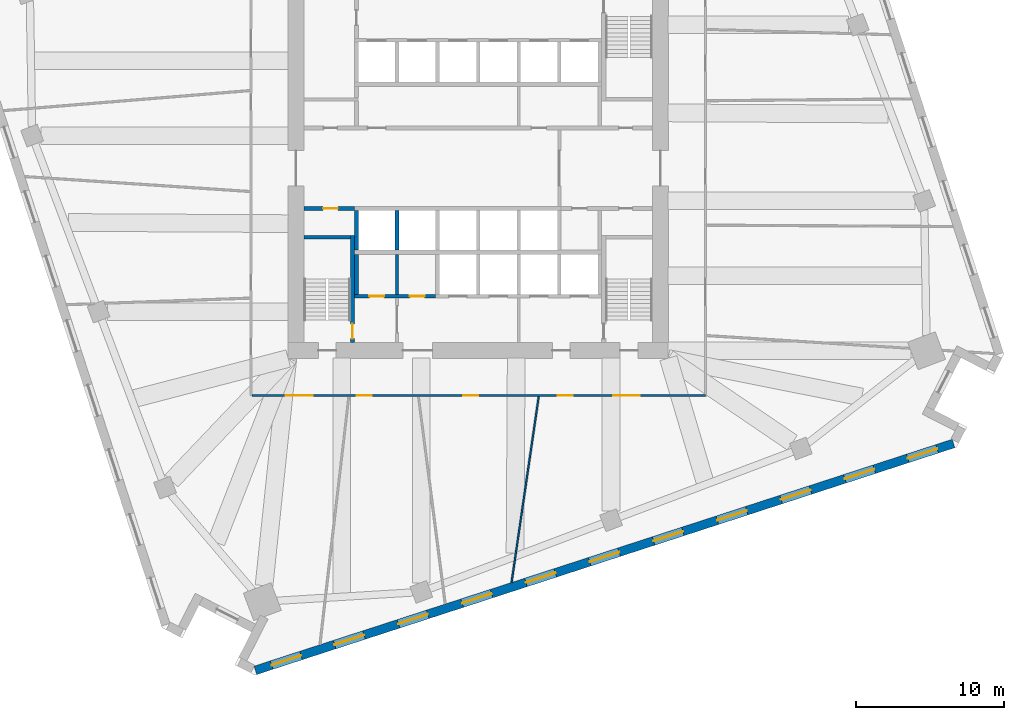
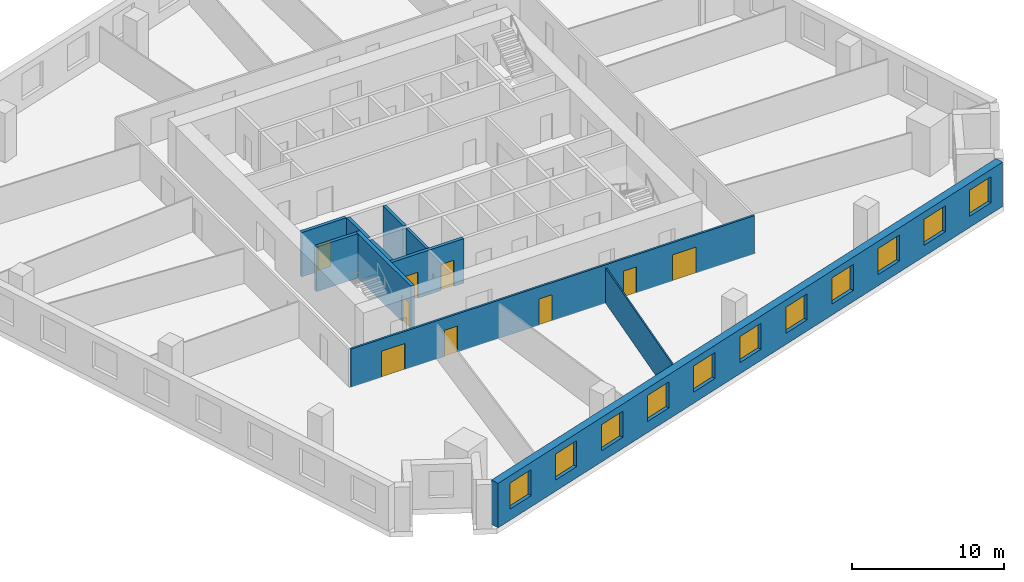
# One storey, part 6 of 12: 11 walls, 11 windows, 9 doors, 20 openings.
"""IFC4 building model written with IfcOpenShell, lengths in metres."""

from ifc_helpers import new_model, si_unit, direction, frame, frame_2d, origin, place, context, subcontext, project, spatial, rectangle, extrude, material, layer, layer_set, type_object, element, fill, save


model = new_model("IFC4")

# Units and contexts
model_context = context("Model", 3, precision=1e-05, world=origin(), true_north=direction((0.0, 1.0)))
body_context = subcontext(model_context, "Body", "Model", "MODEL_VIEW")
ifc_project = project(units=[si_unit("LENGTHUNIT", "METRE"), si_unit("AREAUNIT", "SQUARE_METRE"), si_unit("VOLUMEUNIT", "CUBIC_METRE"), si_unit("PLANEANGLEUNIT", "RADIAN"), si_unit("MASSUNIT", "GRAM", prefix="KILO")], contexts=[model_context])

# Site, building, storey
site_placement = place(None, origin())
site = spatial("IfcSite", under=ifc_project, at=site_placement, CompositionType="ELEMENT")
building_placement = place(site_placement, origin())
building = spatial("IfcBuilding", under=site, at=building_placement, Name="Dilmun Exchange Tower", CompositionType="ELEMENT")
storey_placement = place(building_placement, frame((0.0, 0.0, 90.10009765625)))
storey = spatial("IfcBuildingStorey", under=building, at=storey_placement, Name="L20", CompositionType="ELEMENT", Elevation=90.10009765625)

# Wall
ifc_material_1 = material(Name="Concrete C40/50", Category="concrete")
ifc_layer_1 = layer(ifc_material_1, 0.199951171875)
ifc_layer_set_1 = layer_set([ifc_layer_1], Name="Concrete C40/50")
wall_type_1 = type_object("IfcWallType", Name="Core partition wall 200", PredefinedType="PARTITIONING", material=ifc_layer_set_1)
wall_1_placement = place(storey_placement, frame((-5.5, -8.544921875, 0.0), z_axis=(0.0, 0.0, 1.0), x_axis=(0.0, 1.0, 0.0)))
element("IfcWall", 1, at=wall_1_placement, inside=storey, type_object=wall_type_1, Name="L20 core partition wall 05", PredefinedType="PARTITIONING", context=body_context, shape_type="SweptSolid", body=[
    extrude(rectangle(XDim=2.68994140625, YDim=0.199951171875, at=frame_2d((1.344970703125, 0.0))), origin(), (0.0, 0.0, 1.0), 3.579833984375),
])

# Wall, openings, doors
ifc_layer_2 = layer(ifc_material_1, 0.25)
ifc_layer_set_2 = layer_set([ifc_layer_2], Name="Concrete C40/50")
wall_type_2 = type_object("IfcWallType", Name="Core partition wall 250", PredefinedType="PARTITIONING", material=ifc_layer_set_2)
wall_2_placement = place(storey_placement, frame((-8.3701171875, -8.675048828125, 0.0), z_axis=(0.0, 0.0, 1.0), x_axis=(1.0, 0.0, 0.0)))
wall_2 = element("IfcWall", 2, at=wall_2_placement, inside=storey, type_object=wall_type_2, Name="L20 core partition wall 03", PredefinedType="PARTITIONING", context=body_context, shape_type="SweptSolid", body=[
    extrude(rectangle(XDim=5.490234375, YDim=0.25, at=frame_2d((2.7451171875, 0.0))), origin(), (0.0, 0.0, 1.0), 3.579833984375),
])
opening_1_placement = place(wall_2_placement, frame((0.9951171875, 0.0, 0.0)))
opening_1 = element("IfcOpeningElement", 3, at=opening_1_placement, cuts=wall_2, Name="Opening CD4", PredefinedType="OPENING", context=body_context, shape_type="SweptSolid", body=[
    extrude(rectangle(XDim=1.0, YDim=2.10009765625, at=frame_2d((0.5, 1.050048828125))), frame((0.0, 0.135009765625, 0.0), z_axis=(0.0, -1.0, 0.0), x_axis=(1.0, 0.0, 0.0)), (0.0, 0.0, 1.0), 0.27001953125),
])
opening_2_placement = place(wall_2_placement, frame((3.7451171875, 0.0, 0.0)))
opening_2 = element("IfcOpeningElement", 4, at=opening_2_placement, cuts=wall_2, Name="Opening CD4", PredefinedType="OPENING", context=body_context, shape_type="SweptSolid", body=[
    extrude(rectangle(XDim=1.0, YDim=2.10009765625, at=frame_2d((0.5, 1.050048828125))), frame((0.0, 0.135009765625, 0.0), z_axis=(0.0, -1.0, 0.0), x_axis=(1.0, 0.0, 0.0)), (0.0, 0.0, 1.0), 0.27001953125),
])
ifc_material_2 = material(Name="Fire-rated steel door set", Category="steel")
door_type_1 = type_object("IfcDoorType", Name="Core room door 1000x2100", OperationType="SINGLE_SWING_LEFT", PredefinedType="DOOR", material=ifc_material_2)
door_1_placement = place(opening_1_placement, origin())
door_1 = element("IfcDoor", 5, at=door_1_placement, inside=storey, type_object=door_type_1, Name="L20 door Male WC", OperationType="SINGLE_SWING_LEFT", OverallHeight=2.10009765625, OverallWidth=1.0, PredefinedType="DOOR", context=body_context, shape_type="SweptSolid", body=[
    extrude(rectangle(XDim=1.0, YDim=2.10009765625, at=frame_2d((0.5, 1.050048828125))), frame((0.0, 0.02490234375, 0.0), z_axis=(0.0, -1.0, 0.0), x_axis=(1.0, 0.0, 0.0)), (0.0, 0.0, 1.0), 0.050048828125),
])
fill(opening_1, door_1)
door_2_placement = place(opening_2_placement, origin())
door_2 = element("IfcDoor", 6, at=door_2_placement, inside=storey, type_object=door_type_1, Name="L20 door Female WC", OperationType="SINGLE_SWING_LEFT", OverallHeight=2.10009765625, OverallWidth=1.0, PredefinedType="DOOR", context=body_context, shape_type="SweptSolid", body=[
    extrude(rectangle(XDim=1.0, YDim=2.10009765625, at=frame_2d((0.5, 1.050048828125))), frame((0.0, 0.02490234375, 0.0), z_axis=(0.0, -1.0, 0.0), x_axis=(1.0, 0.0, 0.0)), (0.0, 0.0, 1.0), 0.050048828125),
])
fill(opening_2, door_2)

# Wall
wall_3_placement = place(storey_placement, frame((-8.25, -8.544921875, 0.0), z_axis=(0.0, 0.0, 1.0), x_axis=(0.0, 1.0, 0.0)))
element("IfcWall", 7, at=wall_3_placement, inside=storey, type_object=wall_type_2, Name="L20 core partition wall 04", PredefinedType="PARTITIONING", context=body_context, shape_type="SweptSolid", body=[
    extrude(rectangle(XDim=2.68994140625, YDim=0.25, at=frame_2d((1.344970703125, 0.0))), origin(), (0.0, 0.0, 1.0), 3.579833984375),
])

# Wall, opening, door
wall_4_placement = place(storey_placement, frame((-11.794921875, -2.72509765625, 0.0), z_axis=(0.0, 0.0, 1.0), x_axis=(1.0, 0.0, 0.0)))
wall_4 = element("IfcWall", 8, at=wall_4_placement, inside=storey, type_object=wall_type_2, Name="L20 core partition wall 07", PredefinedType="PARTITIONING", context=body_context, shape_type="SweptSolid", body=[
    extrude(rectangle(XDim=3.4150390625, YDim=0.25, at=frame_2d((1.70751953125, 0.0))), origin(), (0.0, 0.0, 1.0), 3.579833984375),
])
opening_3_placement = place(wall_4_placement, frame((1.294921875, 0.0, 0.0)))
opening_3 = element("IfcOpeningElement", 9, at=opening_3_placement, cuts=wall_4, Name="Opening CD4", PredefinedType="OPENING", context=body_context, shape_type="SweptSolid", body=[
    extrude(rectangle(XDim=1.0, YDim=2.10009765625, at=frame_2d((0.5, 1.050048828125))), frame((0.0, 0.135009765625, 0.0), z_axis=(0.0, -1.0, 0.0), x_axis=(1.0, 0.0, 0.0)), (0.0, 0.0, 1.0), 0.27001953125),
])
door_3_placement = place(opening_3_placement, origin())
door_3 = element("IfcDoor", 10, at=door_3_placement, inside=storey, type_object=door_type_1, Name="L20 door Accessible WC", OperationType="SINGLE_SWING_LEFT", OverallHeight=2.10009765625, OverallWidth=1.0, PredefinedType="DOOR", context=body_context, shape_type="SweptSolid", body=[
    extrude(rectangle(XDim=1.0, YDim=2.10009765625, at=frame_2d((0.5, 1.050048828125))), frame((0.0, 0.02490234375, 0.0), z_axis=(0.0, -1.0, 0.0), x_axis=(1.0, 0.0, 0.0)), (0.0, 0.0, 1.0), 0.050048828125),
])
fill(opening_3, door_3)

# Wall, openings, doors
ifc_material_3 = material(Name="Corridor wall 150")
ifc_layer_3 = layer(ifc_material_3, 0.14990234375)
ifc_layer_set_3 = layer_set([ifc_layer_3], Name="Corridor wall 150")
wall_type_3 = type_object("IfcWallType", Name="Corridor wall 150", PredefinedType="PARTITIONING", material=ifc_layer_set_3)
wall_5_placement = place(storey_placement, frame((-15.324951171875, -15.39990234375, 0.0), z_axis=(0.0, 0.0, 1.0), x_axis=(1.0, 0.0, 0.0)))
wall_5 = element("IfcWall", 11, at=wall_5_placement, inside=storey, type_object=wall_type_3, Name="Corridor wall", PredefinedType="PARTITIONING", context=body_context, shape_type="SweptSolid", body=[
    extrude(rectangle(XDim=30.724853515625, YDim=0.14990234375, at=frame_2d((15.3623046875, 0.0))), origin(), (0.0, 0.0, 1.0), 3.079833984375),
])
opening_4_placement = place(wall_5_placement, frame((2.300048828125, 0.0, 0.0)))
opening_4 = element("IfcOpeningElement", 12, at=opening_4_placement, cuts=wall_5, Name="Opening TF20-D06", PredefinedType="OPENING", context=body_context, shape_type="SweptSolid", body=[
    extrude(rectangle(XDim=1.800048828125, YDim=2.10009765625, at=frame_2d((0.89990234375, 1.050048828125))), frame((0.0, 0.0849609375, 0.0), z_axis=(0.0, -1.0, 0.0), x_axis=(1.0, 0.0, 0.0)), (0.0, 0.0, 1.0), 0.169921875),
])
opening_5_placement = place(wall_5_placement, frame((7.10888671875, 0.0, 0.0)))
opening_5 = element("IfcOpeningElement", 13, at=opening_5_placement, cuts=wall_5, Name="Opening TF20-D08", PredefinedType="OPENING", context=body_context, shape_type="SweptSolid", body=[
    extrude(rectangle(XDim=1.0, YDim=2.10009765625, at=frame_2d((0.5, 1.050048828125))), frame((0.0, 0.0849609375, 0.0), z_axis=(0.0, -1.0, 0.0), x_axis=(1.0, 0.0, 0.0)), (0.0, 0.0, 1.0), 0.169921875),
])
opening_6_placement = place(wall_5_placement, frame((14.3203125, 0.0, 0.0)))
opening_6 = element("IfcOpeningElement", 14, at=opening_6_placement, cuts=wall_5, Name="Opening TF20-D11", PredefinedType="OPENING", context=body_context, shape_type="SweptSolid", body=[
    extrude(rectangle(XDim=1.0, YDim=2.10009765625, at=frame_2d((0.5, 1.050048828125))), frame((0.0, 0.0849609375, 0.0), z_axis=(0.0, -1.0, 0.0), x_axis=(1.0, 0.0, 0.0)), (0.0, 0.0, 1.0), 0.169921875),
])
opening_7_placement = place(wall_5_placement, frame((24.48486328125, 0.0, 0.0)))
opening_7 = element("IfcOpeningElement", 15, at=opening_7_placement, cuts=wall_5, Name="Opening TF20-D13", PredefinedType="OPENING", context=body_context, shape_type="SweptSolid", body=[
    extrude(rectangle(XDim=1.800048828125, YDim=2.10009765625, at=frame_2d((0.89990234375, 1.050048828125))), frame((0.0, 0.0849609375, 0.0), z_axis=(0.0, -1.0, 0.0), x_axis=(1.0, 0.0, 0.0)), (0.0, 0.0, 1.0), 0.169921875),
])
opening_8_placement = place(wall_5_placement, frame((20.73486328125, 0.0, 0.0)))
opening_8 = element("IfcOpeningElement", 16, at=opening_8_placement, cuts=wall_5, Name="Opening TF20-D14", PredefinedType="OPENING", context=body_context, shape_type="SweptSolid", body=[
    extrude(rectangle(XDim=1.0, YDim=2.10009765625, at=frame_2d((0.5, 1.050048828125))), frame((0.0, 0.0849609375, 0.0), z_axis=(0.0, -1.0, 0.0), x_axis=(1.0, 0.0, 0.0)), (0.0, 0.0, 1.0), 0.169921875),
])
ifc_material_4 = material(Name="Fire door 1000 x 2100")
door_type_2 = type_object("IfcDoorType", Name="Fire door 1000 x 2100", OperationType="NOTDEFINED", PredefinedType="DOOR", material=ifc_material_4)
door_4_placement = place(opening_5_placement, frame((1.0, 0.0, 0.0), z_axis=(0.0, 0.0, 1.0), x_axis=(-1.0, 0.0, 0.0)))
door_4 = element("IfcDoor", 17, at=door_4_placement, inside=storey, type_object=door_type_2, Name="Door TF20-D08", OperationType="SINGLE_SWING_LEFT", OverallHeight=2.10009765625, OverallWidth=1.0, PredefinedType="DOOR", context=body_context, shape_type="SweptSolid", body=[
    extrude(rectangle(XDim=1.0, YDim=2.10009765625, at=frame_2d((0.5, 1.050048828125))), frame((0.0, 0.02490234375, 0.0), z_axis=(0.0, -1.0, 0.0), x_axis=(1.0, 0.0, 0.0)), (0.0, 0.0, 1.0), 0.050048828125),
])
fill(opening_5, door_4)
door_5_placement = place(opening_6_placement, frame((1.0, 0.0, 0.0), z_axis=(0.0, 0.0, 1.0), x_axis=(-1.0, 0.0, 0.0)))
door_5 = element("IfcDoor", 18, at=door_5_placement, inside=storey, type_object=door_type_2, Name="Door TF20-D11", OperationType="SINGLE_SWING_LEFT", OverallHeight=2.10009765625, OverallWidth=1.0, PredefinedType="DOOR", context=body_context, shape_type="SweptSolid", body=[
    extrude(rectangle(XDim=1.0, YDim=2.10009765625, at=frame_2d((0.5, 1.050048828125))), frame((0.0, 0.02490234375, 0.0), z_axis=(0.0, -1.0, 0.0), x_axis=(1.0, 0.0, 0.0)), (0.0, 0.0, 1.0), 0.050048828125),
])
fill(opening_6, door_5)
door_6_placement = place(opening_8_placement, frame((1.0, 0.0, 0.0), z_axis=(0.0, 0.0, 1.0), x_axis=(-1.0, 0.0, 0.0)))
door_6 = element("IfcDoor", 19, at=door_6_placement, inside=storey, type_object=door_type_2, Name="Door TF20-D14", OperationType="SINGLE_SWING_LEFT", OverallHeight=2.10009765625, OverallWidth=1.0, PredefinedType="DOOR", context=body_context, shape_type="SweptSolid", body=[
    extrude(rectangle(XDim=1.0, YDim=2.10009765625, at=frame_2d((0.5, 1.050048828125))), frame((0.0, 0.02490234375, 0.0), z_axis=(0.0, -1.0, 0.0), x_axis=(1.0, 0.0, 0.0)), (0.0, 0.0, 1.0), 0.050048828125),
])
fill(opening_8, door_6)
ifc_material_5 = material(Name="Fire door pair 1800 x 2100")
door_type_3 = type_object("IfcDoorType", Name="Fire door pair 1800 x 2100", OperationType="NOTDEFINED", PredefinedType="DOOR", material=ifc_material_5)
door_7_placement = place(opening_4_placement, frame((1.800048828125, 0.0, 0.0), z_axis=(0.0, 0.0, 1.0), x_axis=(-1.0, 0.0, 0.0)))
door_7 = element("IfcDoor", 20, at=door_7_placement, inside=storey, type_object=door_type_3, Name="Door TF20-D06", OperationType="DOUBLE_DOOR_SINGLE_SWING", OverallHeight=2.10009765625, OverallWidth=1.800048828125, PredefinedType="DOOR", context=body_context, shape_type="SweptSolid", body=[
    extrude(rectangle(XDim=1.800048828125, YDim=2.10009765625, at=frame_2d((0.89990234375, 1.050048828125))), frame((0.0, 0.02490234375, 0.0), z_axis=(0.0, -1.0, 0.0), x_axis=(1.0, 0.0, 0.0)), (0.0, 0.0, 1.0), 0.050048828125),
])
fill(opening_4, door_7)
door_8_placement = place(opening_7_placement, frame((1.800048828125, 0.0, 0.0), z_axis=(0.0, 0.0, 1.0), x_axis=(-1.0, 0.0, 0.0)))
door_8 = element("IfcDoor", 21, at=door_8_placement, inside=storey, type_object=door_type_3, Name="Door TF20-D13", OperationType="DOUBLE_DOOR_SINGLE_SWING", OverallHeight=2.10009765625, OverallWidth=1.800048828125, PredefinedType="DOOR", context=body_context, shape_type="SweptSolid", body=[
    extrude(rectangle(XDim=1.800048828125, YDim=2.10009765625, at=frame_2d((0.89990234375, 1.050048828125))), frame((0.0, 0.02490234375, 0.0), z_axis=(0.0, -1.0, 0.0), x_axis=(1.0, 0.0, 0.0)), (0.0, 0.0, 1.0), 0.050048828125),
])
fill(opening_7, door_8)

# Walls
ifc_layer_4 = layer(ifc_material_1, 0.25)
ifc_layer_set_4 = layer_set([ifc_layer_4], Name="Concrete C40/50")
wall_type_4 = type_object("IfcWallType", Name="Lift shaft wall 250", PredefinedType="SOLIDWALL", material=ifc_layer_set_4)
for number, where, z_axis, x_axis, name in (
    (22, (-8.25, -5.550048828125, 0.0), (0.0, 0.0, 1.0), (0.0, 1.0, 0.0), "L20 lift shaft divider S10"),
    (23, (-5.5, -5.550048828125, 0.0), (0.0, 0.0, 1.0), (0.0, 1.0, 0.0), "L20 lift shaft divider S11"),
):
    element("IfcWall", number, at=place(storey_placement, frame(where, z_axis=z_axis, x_axis=x_axis)), inside=storey, type_object=wall_type_4, Name=name, PredefinedType="SOLIDWALL", context=body_context, shape_type="SweptSolid", body=[
        extrude(rectangle(XDim=2.699951171875, YDim=0.25, at=frame_2d((1.35009765625, 0.0))), origin(), (0.0, 0.0, 1.0), 3.579833984375),
    ])
ifc_material_6 = material(Name="Partition 100")
ifc_layer_5 = layer(ifc_material_6, 0.10009765625)
ifc_layer_set_5 = layer_set([ifc_layer_5], Name="Partition 100")
wall_type_5 = type_object("IfcWallType", Name="Partition 100", PredefinedType="PARTITIONING", material=ifc_layer_set_5)
wall_6_placement = place(storey_placement, frame((2.26416015625, -28.072265625, 0.0), z_axis=(0.0, 0.0, 1.0), x_axis=(0.144598494154, 0.989490412025, 0.0)))
element("IfcWall", 24, at=wall_6_placement, inside=storey, type_object=wall_type_5, Name="Partition", PredefinedType="PARTITIONING", context=body_context, shape_type="SweptSolid", body=[
    extrude(rectangle(XDim=12.723876953125, YDim=0.10009765625, at=frame_2d((6.36181640625, 0.0))), origin(), (0.0, 0.0, 1.0), 2.829833984375),
])

# Wall, openings, windows
ifc_material_7 = material(Name="Precast concrete C50/60", Category="concrete")
ifc_layer_6 = layer(ifc_material_7, 0.60009765625)
ifc_layer_set_6 = layer_set([ifc_layer_6], Name="Precast concrete C50/60")
wall_type_6 = type_object("IfcWallType", Name="Precast stone-clad wall 600", PredefinedType="STANDARD", material=ifc_layer_set_6)
wall_7_placement = place(storey_placement, frame((-15.098388671875, -34.03125, 0.0), z_axis=(0.0, 0.0, 1.0), x_axis=(0.951056568917, 0.309016832421, 0.0)))
wall_7 = element("IfcWall", 25, at=wall_7_placement, inside=storey, type_object=wall_type_6, Name="Facade wall L20-15", PredefinedType="STANDARD", context=body_context, shape_type="SweptSolid", body=[
    extrude(rectangle(XDim=49.75146484375, YDim=0.60009765625, at=frame_2d((24.875732421875, 0.0))), origin(), (0.0, 0.0, 1.0), 3.579833984375),
])
opening_9_placement = place(wall_7_placement, frame((1.16064453125, 0.0, 0.89990234375)))
opening_9 = element("IfcOpeningElement", 26, at=opening_9_placement, cuts=wall_7, Name="Opening W210-210", PredefinedType="OPENING", context=body_context, shape_type="SweptSolid", body=[
    extrude(rectangle(XDim=2.10009765625, YDim=2.10009765625, at=frame_2d((1.050048828125, 1.050048828125))), frame((0.0, 0.31005859375, 0.0), z_axis=(0.0, -1.0, 0.0), x_axis=(1.0, 0.0, 0.0)), (0.0, 0.0, 1.0), 0.6201171875),
])
opening_10_placement = place(wall_7_placement, frame((5.643798828125, 0.0, 0.89990234375)))
opening_10 = element("IfcOpeningElement", 27, at=opening_10_placement, cuts=wall_7, Name="Opening W210-210", PredefinedType="OPENING", context=body_context, shape_type="SweptSolid", body=[
    extrude(rectangle(XDim=2.10009765625, YDim=2.10009765625, at=frame_2d((1.050048828125, 1.050048828125))), frame((0.0, 0.31005859375, 0.0), z_axis=(0.0, -1.0, 0.0), x_axis=(1.0, 0.0, 0.0)), (0.0, 0.0, 1.0), 0.6201171875),
])
opening_11_placement = place(wall_7_placement, frame((10.189453125, 0.0, 0.89990234375)))
opening_11 = element("IfcOpeningElement", 28, at=opening_11_placement, cuts=wall_7, Name="Opening W210-210", PredefinedType="OPENING", context=body_context, shape_type="SweptSolid", body=[
    extrude(rectangle(XDim=2.10009765625, YDim=2.10009765625, at=frame_2d((1.050048828125, 1.050048828125))), frame((0.0, 0.31005859375, 0.0), z_axis=(0.0, -1.0, 0.0), x_axis=(1.0, 0.0, 0.0)), (0.0, 0.0, 1.0), 0.6201171875),
])
opening_12_placement = place(wall_7_placement, frame((14.73486328125, 0.0, 0.89990234375)))
opening_12 = element("IfcOpeningElement", 29, at=opening_12_placement, cuts=wall_7, Name="Opening W210-210", PredefinedType="OPENING", context=body_context, shape_type="SweptSolid", body=[
    extrude(rectangle(XDim=2.10009765625, YDim=2.10009765625, at=frame_2d((1.050048828125, 1.050048828125))), frame((0.0, 0.31005859375, 0.0), z_axis=(0.0, -1.0, 0.0), x_axis=(1.0, 0.0, 0.0)), (0.0, 0.0, 1.0), 0.6201171875),
])
opening_13_placement = place(wall_7_placement, frame((19.2802734375, 0.0, 0.89990234375)))
opening_13 = element("IfcOpeningElement", 30, at=opening_13_placement, cuts=wall_7, Name="Opening W210-210", PredefinedType="OPENING", context=body_context, shape_type="SweptSolid", body=[
    extrude(rectangle(XDim=2.10009765625, YDim=2.10009765625, at=frame_2d((1.050048828125, 1.050048828125))), frame((0.0, 0.31005859375, 0.0), z_axis=(0.0, -1.0, 0.0), x_axis=(1.0, 0.0, 0.0)), (0.0, 0.0, 1.0), 0.6201171875),
])
opening_14_placement = place(wall_7_placement, frame((23.82568359375, 0.0, 0.89990234375)))
opening_14 = element("IfcOpeningElement", 31, at=opening_14_placement, cuts=wall_7, Name="Opening W210-210", PredefinedType="OPENING", context=body_context, shape_type="SweptSolid", body=[
    extrude(rectangle(XDim=2.10009765625, YDim=2.10009765625, at=frame_2d((1.050048828125, 1.050048828125))), frame((0.0, 0.31005859375, 0.0), z_axis=(0.0, -1.0, 0.0), x_axis=(1.0, 0.0, 0.0)), (0.0, 0.0, 1.0), 0.6201171875),
])
opening_15_placement = place(wall_7_placement, frame((28.37109375, 0.0, 0.89990234375)))
opening_15 = element("IfcOpeningElement", 32, at=opening_15_placement, cuts=wall_7, Name="Opening W210-210", PredefinedType="OPENING", context=body_context, shape_type="SweptSolid", body=[
    extrude(rectangle(XDim=2.10009765625, YDim=2.10009765625, at=frame_2d((1.050048828125, 1.050048828125))), frame((0.0, 0.31005859375, 0.0), z_axis=(0.0, -1.0, 0.0), x_axis=(1.0, 0.0, 0.0)), (0.0, 0.0, 1.0), 0.6201171875),
])
opening_16_placement = place(wall_7_placement, frame((32.91650390625, 0.0, 0.89990234375)))
opening_16 = element("IfcOpeningElement", 33, at=opening_16_placement, cuts=wall_7, Name="Opening W210-210", PredefinedType="OPENING", context=body_context, shape_type="SweptSolid", body=[
    extrude(rectangle(XDim=2.10009765625, YDim=2.10009765625, at=frame_2d((1.050048828125, 1.050048828125))), frame((0.0, 0.31005859375, 0.0), z_axis=(0.0, -1.0, 0.0), x_axis=(1.0, 0.0, 0.0)), (0.0, 0.0, 1.0), 0.6201171875),
])
opening_17_placement = place(wall_7_placement, frame((37.462158203125, 0.0, 0.89990234375)))
opening_17 = element("IfcOpeningElement", 34, at=opening_17_placement, cuts=wall_7, Name="Opening W210-210", PredefinedType="OPENING", context=body_context, shape_type="SweptSolid", body=[
    extrude(rectangle(XDim=2.10009765625, YDim=2.10009765625, at=frame_2d((1.050048828125, 1.050048828125))), frame((0.0, 0.31005859375, 0.0), z_axis=(0.0, -1.0, 0.0), x_axis=(1.0, 0.0, 0.0)), (0.0, 0.0, 1.0), 0.6201171875),
])
opening_18_placement = place(wall_7_placement, frame((42.007568359375, 0.0, 0.89990234375)))
opening_18 = element("IfcOpeningElement", 35, at=opening_18_placement, cuts=wall_7, Name="Opening W210-210", PredefinedType="OPENING", context=body_context, shape_type="SweptSolid", body=[
    extrude(rectangle(XDim=2.10009765625, YDim=2.10009765625, at=frame_2d((1.050048828125, 1.050048828125))), frame((0.0, 0.31005859375, 0.0), z_axis=(0.0, -1.0, 0.0), x_axis=(1.0, 0.0, 0.0)), (0.0, 0.0, 1.0), 0.6201171875),
])
opening_19_placement = place(wall_7_placement, frame((46.490966796875, 0.0, 0.89990234375)))
opening_19 = element("IfcOpeningElement", 36, at=opening_19_placement, cuts=wall_7, Name="Opening W210-210", PredefinedType="OPENING", context=body_context, shape_type="SweptSolid", body=[
    extrude(rectangle(XDim=2.10009765625, YDim=2.10009765625, at=frame_2d((1.050048828125, 1.050048828125))), frame((0.0, 0.31005859375, 0.0), z_axis=(0.0, -1.0, 0.0), x_axis=(1.0, 0.0, 0.0)), (0.0, 0.0, 1.0), 0.6201171875),
])
ifc_material_8 = material(Name="Clear low-emissivity glass in aluminium frame", Category="aluminium")
window_type = type_object("IfcWindowType", Name="Punched window 2100 x 2100", PartitioningType="DOUBLE_PANEL_VERTICAL", PredefinedType="WINDOW", material=ifc_material_8)
window_1_placement = place(opening_9_placement, origin())
window_1 = element("IfcWindow", 37, at=window_1_placement, inside=storey, type_object=window_type, Name="Window 16.1", OverallHeight=2.10009765625, OverallWidth=2.10009765625, PartitioningType="SINGLE_PANEL", PredefinedType="WINDOW", context=body_context, shape_type="SweptSolid", body=[
    extrude(rectangle(XDim=2.10009765625, YDim=2.10009765625, at=frame_2d((1.050048828125, 1.050048828125))), frame((0.0, 0.030029296875, 0.0), z_axis=(0.0, -1.0, 0.0), x_axis=(1.0, 0.0, 0.0)), (0.0, 0.0, 1.0), 0.06005859375),
])
fill(opening_9, window_1)
window_2_placement = place(opening_10_placement, origin())
window_2 = element("IfcWindow", 38, at=window_2_placement, inside=storey, type_object=window_type, Name="Window 16.2", OverallHeight=2.10009765625, OverallWidth=2.10009765625, PartitioningType="SINGLE_PANEL", PredefinedType="WINDOW", context=body_context, shape_type="SweptSolid", body=[
    extrude(rectangle(XDim=2.10009765625, YDim=2.10009765625, at=frame_2d((1.050048828125, 1.050048828125))), frame((0.0, 0.030029296875, 0.0), z_axis=(0.0, -1.0, 0.0), x_axis=(1.0, 0.0, 0.0)), (0.0, 0.0, 1.0), 0.06005859375),
])
fill(opening_10, window_2)
window_3_placement = place(opening_11_placement, origin())
window_3 = element("IfcWindow", 39, at=window_3_placement, inside=storey, type_object=window_type, Name="Window 16.3", OverallHeight=2.10009765625, OverallWidth=2.10009765625, PartitioningType="SINGLE_PANEL", PredefinedType="WINDOW", context=body_context, shape_type="SweptSolid", body=[
    extrude(rectangle(XDim=2.10009765625, YDim=2.10009765625, at=frame_2d((1.050048828125, 1.050048828125))), frame((0.0, 0.030029296875, 0.0), z_axis=(0.0, -1.0, 0.0), x_axis=(1.0, 0.0, 0.0)), (0.0, 0.0, 1.0), 0.06005859375),
])
fill(opening_11, window_3)
window_4_placement = place(opening_12_placement, origin())
window_4 = element("IfcWindow", 40, at=window_4_placement, inside=storey, type_object=window_type, Name="Window 16.4", OverallHeight=2.10009765625, OverallWidth=2.10009765625, PartitioningType="SINGLE_PANEL", PredefinedType="WINDOW", context=body_context, shape_type="SweptSolid", body=[
    extrude(rectangle(XDim=2.10009765625, YDim=2.10009765625, at=frame_2d((1.050048828125, 1.050048828125))), frame((0.0, 0.030029296875, 0.0), z_axis=(0.0, -1.0, 0.0), x_axis=(1.0, 0.0, 0.0)), (0.0, 0.0, 1.0), 0.06005859375),
])
fill(opening_12, window_4)
window_5_placement = place(opening_13_placement, origin())
window_5 = element("IfcWindow", 41, at=window_5_placement, inside=storey, type_object=window_type, Name="Window 16.5", OverallHeight=2.10009765625, OverallWidth=2.10009765625, PartitioningType="SINGLE_PANEL", PredefinedType="WINDOW", context=body_context, shape_type="SweptSolid", body=[
    extrude(rectangle(XDim=2.10009765625, YDim=2.10009765625, at=frame_2d((1.050048828125, 1.050048828125))), frame((0.0, 0.030029296875, 0.0), z_axis=(0.0, -1.0, 0.0), x_axis=(1.0, 0.0, 0.0)), (0.0, 0.0, 1.0), 0.06005859375),
])
fill(opening_13, window_5)
window_6_placement = place(opening_14_placement, origin())
window_6 = element("IfcWindow", 42, at=window_6_placement, inside=storey, type_object=window_type, Name="Window 16.6", OverallHeight=2.10009765625, OverallWidth=2.10009765625, PartitioningType="SINGLE_PANEL", PredefinedType="WINDOW", context=body_context, shape_type="SweptSolid", body=[
    extrude(rectangle(XDim=2.10009765625, YDim=2.10009765625, at=frame_2d((1.050048828125, 1.050048828125))), frame((0.0, 0.030029296875, 0.0), z_axis=(0.0, -1.0, 0.0), x_axis=(1.0, 0.0, 0.0)), (0.0, 0.0, 1.0), 0.06005859375),
])
fill(opening_14, window_6)
window_7_placement = place(opening_15_placement, origin())
window_7 = element("IfcWindow", 43, at=window_7_placement, inside=storey, type_object=window_type, Name="Window 16.7", OverallHeight=2.10009765625, OverallWidth=2.10009765625, PartitioningType="SINGLE_PANEL", PredefinedType="WINDOW", context=body_context, shape_type="SweptSolid", body=[
    extrude(rectangle(XDim=2.10009765625, YDim=2.10009765625, at=frame_2d((1.050048828125, 1.050048828125))), frame((0.0, 0.030029296875, 0.0), z_axis=(0.0, -1.0, 0.0), x_axis=(1.0, 0.0, 0.0)), (0.0, 0.0, 1.0), 0.06005859375),
])
fill(opening_15, window_7)
window_8_placement = place(opening_16_placement, origin())
window_8 = element("IfcWindow", 44, at=window_8_placement, inside=storey, type_object=window_type, Name="Window 16.8", OverallHeight=2.10009765625, OverallWidth=2.10009765625, PartitioningType="SINGLE_PANEL", PredefinedType="WINDOW", context=body_context, shape_type="SweptSolid", body=[
    extrude(rectangle(XDim=2.10009765625, YDim=2.10009765625, at=frame_2d((1.050048828125, 1.050048828125))), frame((0.0, 0.030029296875, 0.0), z_axis=(0.0, -1.0, 0.0), x_axis=(1.0, 0.0, 0.0)), (0.0, 0.0, 1.0), 0.06005859375),
])
fill(opening_16, window_8)
window_9_placement = place(opening_17_placement, origin())
window_9 = element("IfcWindow", 45, at=window_9_placement, inside=storey, type_object=window_type, Name="Window 16.9", OverallHeight=2.10009765625, OverallWidth=2.10009765625, PartitioningType="SINGLE_PANEL", PredefinedType="WINDOW", context=body_context, shape_type="SweptSolid", body=[
    extrude(rectangle(XDim=2.10009765625, YDim=2.10009765625, at=frame_2d((1.050048828125, 1.050048828125))), frame((0.0, 0.030029296875, 0.0), z_axis=(0.0, -1.0, 0.0), x_axis=(1.0, 0.0, 0.0)), (0.0, 0.0, 1.0), 0.06005859375),
])
fill(opening_17, window_9)
window_10_placement = place(opening_18_placement, origin())
window_10 = element("IfcWindow", 46, at=window_10_placement, inside=storey, type_object=window_type, Name="Window 16.10", OverallHeight=2.10009765625, OverallWidth=2.10009765625, PartitioningType="SINGLE_PANEL", PredefinedType="WINDOW", context=body_context, shape_type="SweptSolid", body=[
    extrude(rectangle(XDim=2.10009765625, YDim=2.10009765625, at=frame_2d((1.050048828125, 1.050048828125))), frame((0.0, 0.030029296875, 0.0), z_axis=(0.0, -1.0, 0.0), x_axis=(1.0, 0.0, 0.0)), (0.0, 0.0, 1.0), 0.06005859375),
])
fill(opening_18, window_10)
window_11_placement = place(opening_19_placement, origin())
window_11 = element("IfcWindow", 47, at=window_11_placement, inside=storey, type_object=window_type, Name="Window 16.11", OverallHeight=2.10009765625, OverallWidth=2.10009765625, PartitioningType="SINGLE_PANEL", PredefinedType="WINDOW", context=body_context, shape_type="SweptSolid", body=[
    extrude(rectangle(XDim=2.10009765625, YDim=2.10009765625, at=frame_2d((1.050048828125, 1.050048828125))), frame((0.0, 0.030029296875, 0.0), z_axis=(0.0, -1.0, 0.0), x_axis=(1.0, 0.0, 0.0)), (0.0, 0.0, 1.0), 0.06005859375),
])
fill(opening_19, window_11)

# Wall
ifc_layer_7 = layer(ifc_material_1, 0.25)
ifc_layer_set_7 = layer_set([ifc_layer_7], Name="Concrete C40/50")
wall_type_7 = type_object("IfcWallType", Name="Stair end wall 250", PredefinedType="SOLIDWALL", material=ifc_layer_set_7)
wall_8_placement = place(storey_placement, frame((-8.64990234375, -4.675048828125, 0.0), z_axis=(0.0, 0.0, 1.0), x_axis=(-1.0, 0.0, 0.0)))
element("IfcWall", 48, at=wall_8_placement, inside=storey, type_object=wall_type_7, Name="L20 ST2 far wall", PredefinedType="SOLIDWALL", context=body_context, shape_type="SweptSolid", body=[
    extrude(rectangle(XDim=3.150146484375, YDim=0.25, at=frame_2d((1.5751953125, 0.0))), origin(), (0.0, 0.0, 1.0), 3.579833984375),
])

# Wall, opening, door
ifc_layer_8 = layer(ifc_material_1, 0.27490234375)
ifc_layer_set_8 = layer_set([ifc_layer_8], Name="Concrete C40/50")
wall_type_8 = type_object("IfcWallType", Name="Stair wall 275", PredefinedType="SOLIDWALL", material=ifc_layer_set_8)
wall_9_placement = place(storey_placement, frame((-8.512451171875, -4.550048828125, 0.0), z_axis=(0.0, 0.0, 1.0), x_axis=(0.0, -1.0, 0.0)))
wall_9 = element("IfcWall", 49, at=wall_9_placement, inside=storey, type_object=wall_type_8, Name="L20 ST2 wall to lift block", PredefinedType="SOLIDWALL", context=body_context, shape_type="SweptSolid", body=[
    extrude(rectangle(XDim=7.25, YDim=0.27490234375, at=frame_2d((3.625, 0.0))), origin(), (0.0, 0.0, 1.0), 3.579833984375),
])
opening_20_placement = place(wall_9_placement, frame((6.0, 0.0, 0.0)))
opening_20 = element("IfcOpeningElement", 50, at=opening_20_placement, cuts=wall_9, Name="Opening CD4", PredefinedType="OPENING", context=body_context, shape_type="SweptSolid", body=[
    extrude(rectangle(XDim=1.0, YDim=2.10009765625, at=frame_2d((0.5, 1.050048828125))), frame((0.0, 0.1474609375, 0.0), z_axis=(0.0, -1.0, 0.0), x_axis=(1.0, 0.0, 0.0)), (0.0, 0.0, 1.0), 0.294921875),
])
door_9_placement = place(opening_20_placement, origin())
door_9 = element("IfcDoor", 51, at=door_9_placement, inside=storey, type_object=door_type_1, Name="L20 door ST2 from lobby", OperationType="SINGLE_SWING_LEFT", OverallHeight=2.10009765625, OverallWidth=1.0, PredefinedType="DOOR", context=body_context, shape_type="SweptSolid", body=[
    extrude(rectangle(XDim=1.0, YDim=2.10009765625, at=frame_2d((0.5, 1.050048828125))), frame((0.0, 0.02490234375, 0.0), z_axis=(0.0, -1.0, 0.0), x_axis=(1.0, 0.0, 0.0)), (0.0, 0.0, 1.0), 0.050048828125),
])
fill(opening_20, door_9)

save(model, "model.ifc")
